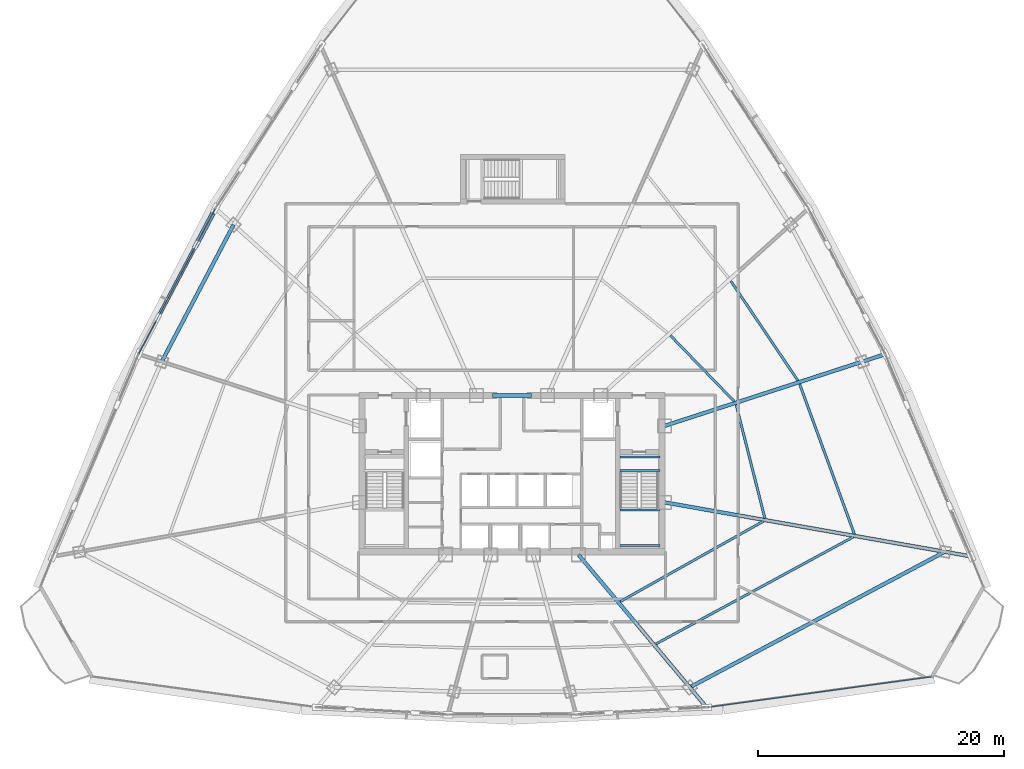
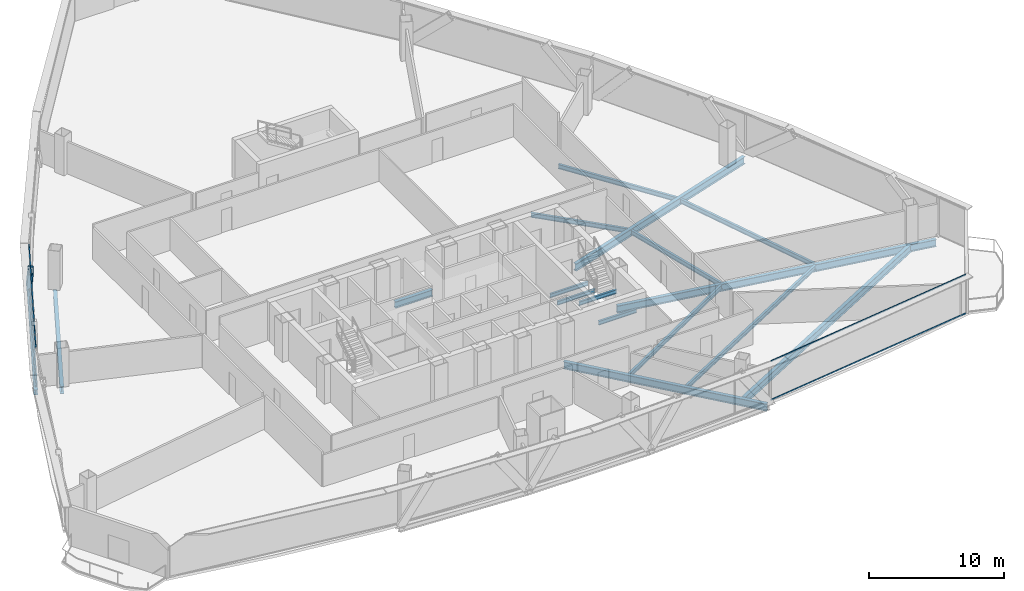
# One storey, part 15 of 37: 17 beams, 5 members, 2 elements without a shape of their own.
"""IFC4 building model written with IfcOpenShell, lengths in metres."""

from ifc_helpers import new_model, si_unit, direction, frame, origin, origin_2d, place, context, subcontext, project, spatial, hollow_rectangle, i_section, extrude, source, transform, mapped, material, layer, layer_set, material_profile, profile_set, type_object, element, aggregate, save


model = new_model("IFC4")

# Units and contexts
model_context = context("Model", 3, precision=1e-05, world=origin(), true_north=direction((0.0, 1.0)))
body_context = subcontext(model_context, "Body", "Model", "MODEL_VIEW")
ifc_project = project(units=[si_unit("LENGTHUNIT", "METRE"), si_unit("AREAUNIT", "SQUARE_METRE"), si_unit("VOLUMEUNIT", "CUBIC_METRE"), si_unit("PLANEANGLEUNIT", "RADIAN"), si_unit("MASSUNIT", "GRAM", prefix="KILO"), si_unit("THERMODYNAMICTEMPERATUREUNIT", "KELVIN"), si_unit("POWERUNIT", "WATT")], contexts=[model_context])

# Site, building, storey
site_placement = place(None, origin())
site = spatial("IfcSite", under=ifc_project, at=site_placement, CompositionType="ELEMENT")
building_placement = place(site_placement, origin())
building = spatial("IfcBuilding", under=site, at=building_placement, Name="Yunzhuo Pagoda Commons", CompositionType="ELEMENT")
storey_placement = place(building_placement, frame((0.0, 0.0, 192.360107421875)))
storey = spatial("IfcBuildingStorey", under=building, at=storey_placement, Name="L48", CompositionType="ELEMENT", Elevation=192.360107421875)

# Beams
ifc_material_1 = material(Name="Structural steel Q355B", Category="steel")
ifc_material_profile_1 = material_profile(ifc_material_1, i_section(OverallWidth=0.175048828125, OverallDepth=0.35009765625, WebThickness=0.007080078125, FlangeThickness=0.010986328125, at=origin_2d()), Name="Structural steel Q355B")
ifc_profile_set_1 = profile_set([ifc_material_profile_1], Name="Structural steel Q355B")
beam_type_1 = type_object("IfcBeamType", Name="B-JS2 Joist HN 350x175x7x11", PredefinedType="JOIST", material=ifc_profile_set_1)
shared_shape_1 = source(origin(), body_context, "Body", "SweptSolid", [
    extrude(i_section(OverallWidth=0.175048828125, OverallDepth=0.35009765625, WebThickness=0.007080078125, FlangeThickness=0.010986328125, at=origin_2d()), origin(), (0.0, 0.0, 1.0), 3.25),
])
for number, where, z_axis, x_axis, name in (
    (1, (56.800048828125, 28.0, 1.52490234375), (1.0, 0.0, 0.0), (0.0, 1.0, 0.0), "L48 ST2 landing support beam 54A"),
    (2, (56.800048828125, 30.89990234375, 1.52490234375), (1.0, 0.0, 0.0), (0.0, 1.0, 0.0), "L48 ST2 landing support beam 54B"),
    (3, (56.800048828125, 34.10009765625, -0.375), (1.0, 0.0, 0.0), (0.0, 1.0, 0.0), "L48 ST2 landing support beam 152A"),
    (4, (56.800048828125, 35.199951171875, -0.375), (1.0, 0.0, 0.0), (0.0, 1.0, 0.0), "L48 ST2 landing support beam 152B"),
):
    element("IfcBeam", number, at=place(storey_placement, frame(where, z_axis=z_axis, x_axis=x_axis)), inside=storey, type_object=beam_type_1, Name=name, PredefinedType="JOIST", context=body_context, shape_type="MappedRepresentation", body=[
        mapped(shared_shape_1, transform((0.0, 0.0, 0.0), scale=1.0)),
    ])
ifc_material_2 = material(Name="Structural steel Q420B", Category="steel")
ifc_material_profile_2 = material_profile(ifc_material_2, i_section(OverallWidth=0.300048828125, OverallDepth=0.587890625, WebThickness=0.011962890625, FlangeThickness=0.02001953125, at=origin_2d()), Name="Structural steel Q420B")
ifc_profile_set_2 = profile_set([ifc_material_profile_2], Name="Structural steel Q420B")
beam_type_2 = type_object("IfcBeamType", Name="B-CPL Beam HM 588x300x12x20", PredefinedType="BEAM", material=ifc_profile_set_2)
shared_shape_2 = source(origin(), body_context, "Body", "SweptSolid", [
    extrude(i_section(OverallWidth=0.300048828125, OverallDepth=0.587890625, WebThickness=0.011962890625, FlangeThickness=0.02001953125, at=origin_2d()), origin(), (0.0, 0.0, 1.0), 3.2001953125),
])
beam_1_placement = place(storey_placement, frame((46.39990234375, 40.199951171875, -0.55419921875), z_axis=(1.0, 0.0, 0.0), x_axis=(0.0, 1.0, 0.0)))
element("IfcBeam", 5, at=beam_1_placement, inside=storey, type_object=beam_type_2, Name="L48 core coupling girder", PredefinedType="BEAM", context=body_context, shape_type="MappedRepresentation", body=[
    mapped(shared_shape_2, transform((0.0, 0.0, 0.0), scale=1.0)),
])
ifc_material_profile_3 = material_profile(ifc_material_1, i_section(OverallWidth=0.300048828125, OverallDepth=0.64990234375, WebThickness=0.012939453125, FlangeThickness=0.02197265625, at=origin_2d()), Name="Structural steel Q355B")
ifc_profile_set_3 = profile_set([ifc_material_profile_3], Name="Structural steel Q355B")
beam_type_3 = type_object("IfcBeamType", Name="B-RG2 Beam HN 650x300x13x22", PredefinedType="BEAM", material=ifc_profile_set_3)
shared_shape_3 = source(origin(), body_context, "Body", "SweptSolid", [
    extrude(i_section(OverallWidth=0.300048828125, OverallDepth=0.64990234375, WebThickness=0.012939453125, FlangeThickness=0.02197265625, at=origin_2d()), origin(), (0.0, 0.0, 1.0), 23.49365234375),
])
beam_2_placement = place(storey_placement, frame((62.461181640625, 16.4658203125, -0.585205078125), z_axis=(0.883016269865, 0.469342377325, 0.0), x_axis=(-0.469342377325, 0.883016269865, 0.0)))
element("IfcBeam", 6, at=beam_2_placement, inside=storey, type_object=beam_type_3, Name="L48 column-ring beam 4", PredefinedType="BEAM", context=body_context, shape_type="MappedRepresentation", body=[
    mapped(shared_shape_3, transform((0.0, 0.0, 0.0), scale=1.0)),
])
shared_shape_4 = source(origin(), body_context, "Body", "SweptSolid", [
    extrude(i_section(OverallWidth=0.300048828125, OverallDepth=0.64990234375, WebThickness=0.012939453125, FlangeThickness=0.02197265625, at=origin_2d()), origin(), (0.0, 0.0, 1.0), 12.576416015625),
])
beam_3_placement = place(storey_placement, frame((25.349365234375, 54.0947265625, -0.585205078125), z_axis=(-0.464676385233, -0.885480579689, 0.0), x_axis=(0.885480579689, -0.464676385233, 0.0)))
element("IfcBeam", 7, at=beam_3_placement, inside=storey, type_object=beam_type_3, Name="L48 column-ring beam 10", PredefinedType="BEAM", context=body_context, shape_type="MappedRepresentation", body=[
    mapped(shared_shape_4, transform((0.0, 0.0, 0.0), scale=1.0)),
])
ifc_material_profile_4 = material_profile(ifc_material_1, i_section(OverallWidth=0.199951171875, OverallDepth=0.39990234375, WebThickness=0.008056640625, FlangeThickness=0.012939453125, at=origin_2d()), Name="Structural steel Q355B")
ifc_profile_set_4 = profile_set([ifc_material_profile_4], Name="Structural steel Q355B")
beam_type_4 = type_object("IfcBeamType", Name="B-JS1 Joist HN 400x200x8x13", PredefinedType="JOIST", material=ifc_profile_set_4)
shared_shape_5 = source(origin(), body_context, "Body", "SweptSolid", [
    extrude(i_section(OverallWidth=0.199951171875, OverallDepth=0.39990234375, WebThickness=0.008056640625, FlangeThickness=0.012939453125, at=origin_2d()), origin(), (0.0, 0.0, 1.0), 13.372802734375),
])
beam_4_placement = place(storey_placement, frame((56.80859375, 23.445556640625, -0.460205078125), z_axis=(0.872150261016, 0.4892381038, 0.0), x_axis=(-0.4892381038, 0.872150261016, 0.0)))
element("IfcBeam", 8, at=beam_4_placement, inside=storey, type_object=beam_type_4, Name="L48 composite ring joist 1.4", PredefinedType="JOIST", context=body_context, shape_type="MappedRepresentation", body=[
    mapped(shared_shape_5, transform((0.0, 0.0, 0.0), scale=1.0)),
])
shared_shape_6 = source(origin(), body_context, "Body", "SweptSolid", [
    extrude(i_section(OverallWidth=0.199951171875, OverallDepth=0.39990234375, WebThickness=0.008056640625, FlangeThickness=0.012939453125, at=origin_2d()), origin(), (0.0, 0.0, 1.0), 18.27294921875),
])
beam_5_placement = place(storey_placement, frame((59.705322265625, 19.992431640625, -0.460205078125), z_axis=(0.879067821824, 0.476696721861, 0.0), x_axis=(-0.476696721861, 0.879067821824, 0.0)))
element("IfcBeam", 9, at=beam_5_placement, inside=storey, type_object=beam_type_4, Name="L48 composite ring joist 2.4", PredefinedType="JOIST", context=body_context, shape_type="MappedRepresentation", body=[
    mapped(shared_shape_6, transform((0.0, 0.0, 0.0), scale=1.0)),
])
shared_shape_7 = source(origin(), body_context, "Body", "SweptSolid", [
    extrude(i_section(OverallWidth=0.199951171875, OverallDepth=0.39990234375, WebThickness=0.008056640625, FlangeThickness=0.012939453125, at=origin_2d()), origin(), (0.0, 0.0, 1.0), 9.529052734375),
])
beam_6_placement = place(storey_placement, frame((68.5712890625, 30.219970703125, -0.460205078125), z_axis=(-0.245367921097, 0.969430030119, 0.0), x_axis=(-0.969430030119, -0.245367921097, 0.0)))
element("IfcBeam", 10, at=beam_6_placement, inside=storey, type_object=beam_type_4, Name="L48 composite ring joist 1.5", PredefinedType="JOIST", context=body_context, shape_type="MappedRepresentation", body=[
    mapped(shared_shape_7, transform((0.0, 0.0, 0.0), scale=1.0)),
])
shared_shape_8 = source(origin(), body_context, "Body", "SweptSolid", [
    extrude(i_section(OverallWidth=0.199951171875, OverallDepth=0.39990234375, WebThickness=0.008056640625, FlangeThickness=0.012939453125, at=origin_2d()), origin(), (0.0, 0.0, 1.0), 12.994873046875),
])
beam_7_placement = place(storey_placement, frame((75.85400390625, 28.928466796875, -0.460205078125), z_axis=(-0.342834977914, 0.939395645039, 0.0), x_axis=(-0.939395645039, -0.342834977914, 0.0)))
element("IfcBeam", 11, at=beam_7_placement, inside=storey, type_object=beam_type_4, Name="L48 composite ring joist 2.5", PredefinedType="JOIST", context=body_context, shape_type="MappedRepresentation", body=[
    mapped(shared_shape_8, transform((0.0, 0.0, 0.0), scale=1.0)),
])
shared_shape_9 = source(origin(), body_context, "Body", "SweptSolid", [
    extrude(i_section(OverallWidth=0.199951171875, OverallDepth=0.39990234375, WebThickness=0.008056640625, FlangeThickness=0.012939453125, at=origin_2d()), origin(), (0.0, 0.0, 1.0), 7.46826171875),
])
beam_8_placement = place(storey_placement, frame((66.08349609375, 39.725830078125, -0.460205078125), z_axis=(-0.696070782679, 0.717973164889, 0.0), x_axis=(-0.717973164889, -0.696070782679, 0.0)))
element("IfcBeam", 12, at=beam_8_placement, inside=storey, type_object=beam_type_4, Name="L48 composite ring joist 1.6", PredefinedType="JOIST", context=body_context, shape_type="MappedRepresentation", body=[
    mapped(shared_shape_9, transform((0.0, 0.0, 0.0), scale=1.0)),
])
shared_shape_10 = source(origin(), body_context, "Body", "SweptSolid", [
    extrude(i_section(OverallWidth=0.199951171875, OverallDepth=0.39990234375, WebThickness=0.008056640625, FlangeThickness=0.012939453125, at=origin_2d()), origin(), (0.0, 0.0, 1.0), 9.764892578125),
])
beam_9_placement = place(storey_placement, frame((71.255615234375, 41.4169921875, -0.460205078125), z_axis=(-0.558548425455, 0.829471914185, 0.0), x_axis=(-0.829471914185, -0.558548425455, 0.0)))
element("IfcBeam", 13, at=beam_9_placement, inside=storey, type_object=beam_type_4, Name="L48 composite ring joist 2.6", PredefinedType="JOIST", context=body_context, shape_type="MappedRepresentation", body=[
    mapped(shared_shape_10, transform((0.0, 0.0, 0.0), scale=1.0)),
])
shared_shape_11 = source(origin(), body_context, "Body", "SweptSolid", [
    extrude(i_section(OverallWidth=0.300048828125, OverallDepth=0.64990234375, WebThickness=0.012939453125, FlangeThickness=0.02197265625, at=origin_2d()), origin(), (0.0, 0.0, 1.0), 16.0595703125),
])
beam_10_placement = place(storey_placement, frame((63.735107421875, 14.94775390625, -0.585205078125), z_axis=(-0.64279447514, 0.766038682267, 0.0), x_axis=(-0.766038682267, -0.64279447514, 0.0)))
element("IfcBeam", 14, at=beam_10_placement, inside=storey, type_object=beam_type_3, Name="L48 radial floor girder F1C4", PredefinedType="BEAM", context=body_context, shape_type="MappedRepresentation", body=[
    mapped(shared_shape_11, transform((0.0, 0.0, 0.0), scale=1.0)),
])
shared_shape_12 = source(origin(), body_context, "Body", "SweptSolid", [
    extrude(i_section(OverallWidth=0.300048828125, OverallDepth=0.64990234375, WebThickness=0.012939453125, FlangeThickness=0.02197265625, at=origin_2d()), origin(), (0.0, 0.0, 1.0), 25.183349609375),
])
beam_11_placement = place(storey_placement, frame((85.20068359375, 27.140380859375, -0.585205078125), z_axis=(-0.984807753026, 0.173648177589, 0.0), x_axis=(-0.173648177589, -0.984807753026, 0.0)))
element("IfcBeam", 15, at=beam_11_placement, inside=storey, type_object=beam_type_3, Name="L48 radial floor girder F2C1", PredefinedType="BEAM", context=body_context, shape_type="MappedRepresentation", body=[
    mapped(shared_shape_12, transform((0.0, 0.0, 0.0), scale=1.0)),
])
shared_shape_13 = source(origin(), body_context, "Body", "SweptSolid", [
    extrude(i_section(OverallWidth=0.300048828125, OverallDepth=0.64990234375, WebThickness=0.012939453125, FlangeThickness=0.02197265625, at=origin_2d()), origin(), (0.0, 0.0, 1.0), 18.746337890625),
])
beam_12_placement = place(storey_placement, frame((78.228759765625, 43.52197265625, -0.585205078125), z_axis=(-0.951056174336, -0.309018046814, 0.0), x_axis=(0.309018046814, -0.951056174336, 0.0)))
element("IfcBeam", 16, at=beam_12_placement, inside=storey, type_object=beam_type_3, Name="L48 radial floor girder F2C2", PredefinedType="BEAM", context=body_context, shape_type="MappedRepresentation", body=[
    mapped(shared_shape_13, transform((0.0, 0.0, 0.0), scale=1.0)),
])
ifc_material_profile_5 = material_profile(ifc_material_1, i_section(OverallWidth=0.300048828125, OverallDepth=0.488037109375, WebThickness=0.010986328125, FlangeThickness=0.01806640625, at=origin_2d()), Name="Structural steel Q355B")
ifc_profile_set_5 = profile_set([ifc_material_profile_5], Name="Structural steel Q355B")
beam_type_5 = type_object("IfcBeamType", Name="B-SP1 Beam HM 488x300x11x18", PredefinedType="BEAM", material=ifc_profile_set_5)
shared_shape_14 = source(origin(), body_context, "Body", "SweptSolid", [
    extrude(i_section(OverallWidth=0.300048828125, OverallDepth=0.488037109375, WebThickness=0.010986328125, FlangeThickness=0.01806640625, at=origin_2d()), origin(), (0.0, 0.0, 1.0), 13.399658203125),
])
beam_13_placement = place(storey_placement, frame((23.875732421875, 55.421630859375, -0.504150390625), z_axis=(-0.466573749972, -0.884482298204, 0.0), x_axis=(0.884482298204, -0.466573749972, 0.0)))
element("IfcBeam", 17, at=beam_13_placement, inside=storey, type_object=beam_type_5, Name="L48 facade edge spandrel beam F3.2", PredefinedType="BEAM", context=body_context, shape_type="MappedRepresentation", body=[
    mapped(shared_shape_14, transform((0.0, 0.0, 0.0), scale=1.0)),
])

# Member
ifc_material_profile_6 = material_profile(ifc_material_1, hollow_rectangle(XDim=0.39990234375, YDim=0.719970703125, WallThickness=0.02392578125, at=origin_2d()), Name="Structural steel Q355B")
ifc_profile_set_6 = profile_set([ifc_material_profile_6], Name="Structural steel Q355B")
member_type_1 = type_object("IfcMemberType", Name="M-DL2 Brace BOX 720x400x24", PredefinedType="BRACE", material=ifc_profile_set_6)
shared_shape_15 = source(origin(), body_context, "Body", "SweptSolid", [
    extrude(hollow_rectangle(XDim=0.39990234375, YDim=0.719970703125, WallThickness=0.02392578125, at=origin_2d()), origin(), (0.0, 0.0, 1.0), 5.065673828125),
])
member_1_placement = place(storey_placement, frame((23.875732421875, 55.421630859375, -0.260009765625), z_axis=(-0.308541597422, -0.584937420791, 0.75010019092), x_axis=(0.884494196233, -0.466551194223, 0.0)))
element("IfcMember", 18, at=member_1_placement, inside=storey, type_object=member_type_1, Name="L48 facade diamond brace F3.2L", PredefinedType="BRACE", context=body_context, shape_type="MappedRepresentation", body=[
    mapped(shared_shape_15, transform((0.0, 0.0, 0.0), scale=1.0)),
])

# Curtain wall, members
ifc_material_3 = material(Name="Anodized aluminium 6063-T6", Category="aluminium")
ifc_layer = layer(ifc_material_3, 0.14990234375)
ifc_layer_set = layer_set([ifc_layer], Name="Anodized aluminium 6063-T6")
curtain_wall_type = type_object("IfcCurtainWallType", Name="CW-MID Mid-Zone Ribbon Curtain Wall", PredefinedType="NOTDEFINED", material=ifc_layer_set)
curtain_wall_1_placement = place(storey_placement, origin())
curtain_wall_1 = element("IfcCurtainWall", 19, at=curtain_wall_1_placement, inside=storey, type_object=curtain_wall_type, Name="L48 curtain wall CW-L48-F1B5", PredefinedType="NOTDEFINED")
ifc_material_profile_7 = material_profile(ifc_material_3, hollow_rectangle(XDim=0.054931640625, YDim=0.1298828125, WallThickness=0.00341796875, at=origin_2d()), Name="Anodized aluminium 6063-T6")
ifc_profile_set_7 = profile_set([ifc_material_profile_7], Name="Anodized aluminium 6063-T6")
member_type_2 = type_object("IfcMemberType", Name="CW-MID-T Transom RHS 130x55x3.5", PredefinedType="USERDEFINED", material=ifc_profile_set_7)
shared_shape_16 = source(origin(), body_context, "Body", "SweptSolid", [
    extrude(hollow_rectangle(XDim=0.054931640625, YDim=0.1298828125, WallThickness=0.00341796875, at=origin_2d()), origin(), (0.0, 0.0, 1.0), 18.307861328125),
])
member_2_placement = place(storey_placement, frame((63.968505859375, 14.84716796875, 0.02734375), z_axis=(0.990802800825, 0.13531374608, 0.0), x_axis=(-0.13531374608, 0.990802800825, 0.0)))
member_2 = element("IfcMember", 20, at=member_2_placement, type_object=member_type_2, Name="CW transom 1.1", ObjectType="TRANSOM", PredefinedType="USERDEFINED", context=body_context, shape_type="MappedRepresentation", body=[
    mapped(shared_shape_16, transform((0.0, 0.0, 0.0), scale=1.0)),
])
member_3_placement = place(storey_placement, frame((63.968505859375, 14.84716796875, 3.512451171875), z_axis=(0.990802800825, 0.13531374608, 0.0), x_axis=(-0.13531374608, 0.990802800825, 0.0)))
member_3 = element("IfcMember", 21, at=member_3_placement, type_object=member_type_2, Name="CW transom 1.2", ObjectType="TRANSOM", PredefinedType="USERDEFINED", context=body_context, shape_type="MappedRepresentation", body=[
    mapped(shared_shape_16, transform((0.0, 0.0, 0.0), scale=1.0)),
])
aggregate(curtain_wall_1, [member_2, member_3])

curtain_wall_2_placement = place(storey_placement, origin())
curtain_wall_2 = element("IfcCurtainWall", 22, at=curtain_wall_2_placement, inside=storey, type_object=curtain_wall_type, Name="L48 curtain wall CW-L48-F3B3", PredefinedType="NOTDEFINED")
shared_shape_17 = source(origin(), body_context, "Body", "SweptSolid", [
    extrude(hollow_rectangle(XDim=0.054931640625, YDim=0.1298828125, WallThickness=0.00341796875, at=origin_2d()), origin(), (0.0, 0.0, 1.0), 13.27978515625),
])
member_4_placement = place(storey_placement, frame((23.84765625, 55.36865234375, 0.02734375), z_axis=(-0.466544115996, -0.884497929805, 0.0), x_axis=(0.884497929805, -0.466544115996, 0.0)))
member_4 = element("IfcMember", 23, at=member_4_placement, type_object=member_type_2, Name="CW transom 1.1", ObjectType="TRANSOM", PredefinedType="USERDEFINED", context=body_context, shape_type="MappedRepresentation", body=[
    mapped(shared_shape_17, transform((0.0, 0.0, 0.0), scale=1.0)),
])
member_5_placement = place(storey_placement, frame((23.84765625, 55.36865234375, 3.512451171875), z_axis=(-0.466544115996, -0.884497929805, 0.0), x_axis=(0.884497929805, -0.466544115996, 0.0)))
member_5 = element("IfcMember", 24, at=member_5_placement, type_object=member_type_2, Name="CW transom 1.2", ObjectType="TRANSOM", PredefinedType="USERDEFINED", context=body_context, shape_type="MappedRepresentation", body=[
    mapped(shared_shape_17, transform((0.0, 0.0, 0.0), scale=1.0)),
])
aggregate(curtain_wall_2, [member_4, member_5])

save(model, "model.ifc")
